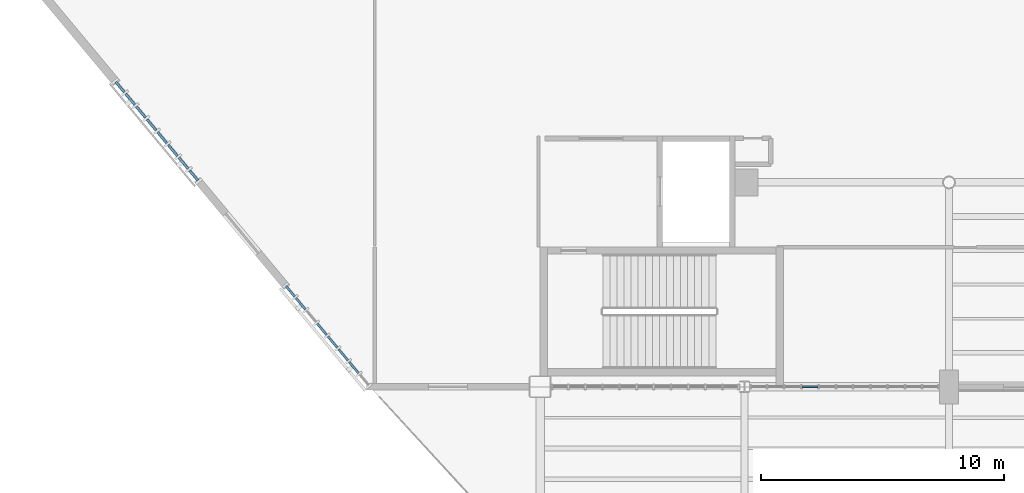
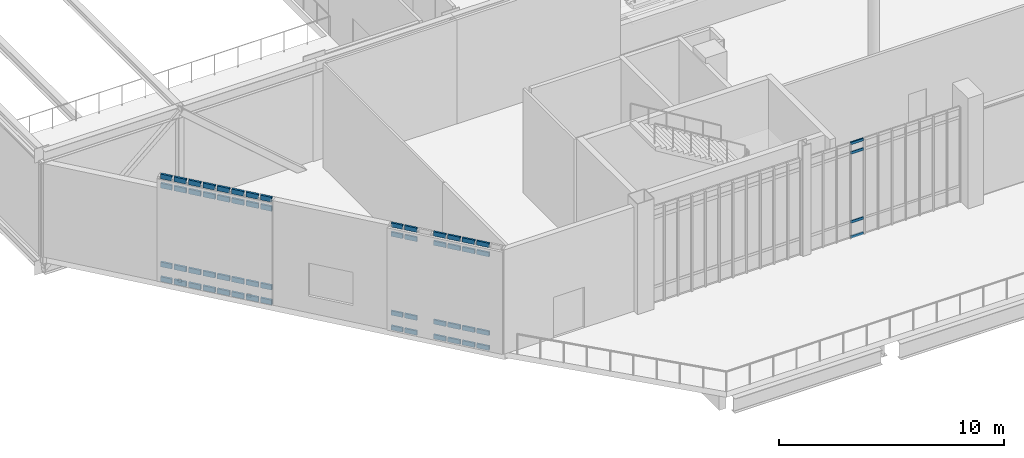
# One storey, part 44 of 135: 60 members, 3 elements without a shape of their own.
"""IFC4 building model written with IfcOpenShell, lengths in metres."""

from ifc_helpers import new_model, si_unit, direction, frame, origin, origin_2d, place, context, subcontext, project, spatial, rectangle, extrude, material, material_profile, profile_set, type_object, element, aggregate, save


model = new_model("IFC4")

# Units and contexts
model_context = context("Model", 3, precision=1e-05, world=origin(), true_north=direction((0.0, 1.0)))
body_context = subcontext(model_context, "Body", "Model", "MODEL_VIEW")
ifc_project = project(units=[si_unit("LENGTHUNIT", "METRE"), si_unit("AREAUNIT", "SQUARE_METRE"), si_unit("VOLUMEUNIT", "CUBIC_METRE"), si_unit("PLANEANGLEUNIT", "RADIAN"), si_unit("MASSUNIT", "GRAM", prefix="KILO")], contexts=[model_context])

# Site, building, storey
site_placement = place(None, origin())
site = spatial("IfcSite", under=ifc_project, at=site_placement, CompositionType="ELEMENT")
building_placement = place(site_placement, origin())
building = spatial("IfcBuilding", under=site, at=building_placement, Name="Larkvane Passage Sports Hall", CompositionType="ELEMENT")
storey_placement = place(building_placement, frame((0.0, 0.0, 10.800048828125)))
storey = spatial("IfcBuildingStorey", under=building, at=storey_placement, Name="L02", CompositionType="ELEMENT", Elevation=10.800048828125)

# Curtain wall, members
ifc_material_1 = material(Name="Thermally broken aluminium and low-E glazing", Category="aluminium")
curtain_wall_type_1 = type_object("IfcCurtainWallType", Name="CW-CLINIC", PredefinedType="USERDEFINED", material=ifc_material_1)
curtain_wall_1_placement = place(storey_placement, origin())
curtain_wall_1 = element("IfcCurtainWall", 1, at=curtain_wall_1_placement, inside=storey, type_object=curtain_wall_type_1, Name="Curtain wall CW5-L02-091", ObjectType="UNITISED CURTAIN WALL", PredefinedType="USERDEFINED")
ifc_material_2 = material(Name="Anodised aluminium 6063-T6", Category="aluminium")
ifc_material_profile_1 = material_profile(ifc_material_2, rectangle(XDim=0.10009765625, YDim=0.260009765625, at=origin_2d()), Name="ALU-TRN-100x260")
ifc_profile_set_1 = profile_set([ifc_material_profile_1], Name="Anodised aluminium 6063-T6")
member_type_1 = type_object("IfcMemberType", Name="CW-TRN-100x260", PredefinedType="USERDEFINED", material=ifc_profile_set_1)
member_1_placement = place(storey_placement, frame((20.736083984375, 31.27685546875, 0.050048828125), z_axis=(-0.640364472623, 0.768071183031, 0.0), x_axis=(-0.768071183031, -0.640364472623, 0.0)))
member_1 = element("IfcMember", 2, at=member_1_placement, type_object=member_type_1, Name="CW-05 transom 1.1", ObjectType="TRANSOM", PredefinedType="USERDEFINED", context=body_context, shape_type="SweptSolid", body=[
    extrude(rectangle(XDim=0.10009765625, YDim=0.260009765625, at=origin_2d()), origin(), (0.0, 0.0, 1.0), 0.533447265625),
])
member_2_placement = place(storey_placement, frame((20.736083984375, 31.27685546875, 0.849853515625), z_axis=(-0.640364472623, 0.768071183031, 0.0), x_axis=(-0.768071183031, -0.640364472623, 0.0)))
member_2 = element("IfcMember", 3, at=member_2_placement, type_object=member_type_1, Name="CW-05 transom 1.2", ObjectType="TRANSOM", PredefinedType="USERDEFINED", context=body_context, shape_type="SweptSolid", body=[
    extrude(rectangle(XDim=0.10009765625, YDim=0.260009765625, at=origin_2d()), origin(), (0.0, 0.0, 1.0), 0.533447265625),
])
member_3_placement = place(storey_placement, frame((20.736083984375, 31.27685546875, 5.1298828125), z_axis=(-0.640364472623, 0.768071183031, 0.0), x_axis=(-0.768071183031, -0.640364472623, 0.0)))
member_3 = element("IfcMember", 4, at=member_3_placement, type_object=member_type_1, Name="CW-05 transom 1.3", ObjectType="TRANSOM", PredefinedType="USERDEFINED", context=body_context, shape_type="SweptSolid", body=[
    extrude(rectangle(XDim=0.10009765625, YDim=0.260009765625, at=origin_2d()), origin(), (0.0, 0.0, 1.0), 0.533447265625),
])
member_4_placement = place(storey_placement, frame((20.736083984375, 31.27685546875, 5.6298828125), z_axis=(-0.640364472623, 0.768071183031, 0.0), x_axis=(-0.768071183031, -0.640364472623, 0.0)))
member_4 = element("IfcMember", 5, at=member_4_placement, type_object=member_type_1, Name="CW-05 transom 1.4", ObjectType="TRANSOM", PredefinedType="USERDEFINED", context=body_context, shape_type="SweptSolid", body=[
    extrude(rectangle(XDim=0.10009765625, YDim=0.260009765625, at=origin_2d()), origin(), (0.0, 0.0, 1.0), 0.533447265625),
])
member_5_placement = place(storey_placement, frame((20.33056640625, 31.763427734375, 0.050048828125), z_axis=(-0.640184399664, 0.768221279597, 0.0), x_axis=(-0.768221279597, -0.640184399664, 0.0)))
member_5 = element("IfcMember", 6, at=member_5_placement, type_object=member_type_1, Name="CW-05 transom 2.1", ObjectType="TRANSOM", PredefinedType="USERDEFINED", context=body_context, shape_type="SweptSolid", body=[
    extrude(rectangle(XDim=0.10009765625, YDim=0.260009765625, at=origin_2d()), origin(), (0.0, 0.0, 1.0), 0.58349609375),
])
member_6_placement = place(storey_placement, frame((20.33056640625, 31.763427734375, 0.849853515625), z_axis=(-0.640184399664, 0.768221279597, 0.0), x_axis=(-0.768221279597, -0.640184399664, 0.0)))
member_6 = element("IfcMember", 7, at=member_6_placement, type_object=member_type_1, Name="CW-05 transom 2.2", ObjectType="TRANSOM", PredefinedType="USERDEFINED", context=body_context, shape_type="SweptSolid", body=[
    extrude(rectangle(XDim=0.10009765625, YDim=0.260009765625, at=origin_2d()), origin(), (0.0, 0.0, 1.0), 0.58349609375),
])
member_7_placement = place(storey_placement, frame((20.33056640625, 31.763427734375, 5.1298828125), z_axis=(-0.640184399664, 0.768221279597, 0.0), x_axis=(-0.768221279597, -0.640184399664, 0.0)))
member_7 = element("IfcMember", 8, at=member_7_placement, type_object=member_type_1, Name="CW-05 transom 2.3", ObjectType="TRANSOM", PredefinedType="USERDEFINED", context=body_context, shape_type="SweptSolid", body=[
    extrude(rectangle(XDim=0.10009765625, YDim=0.260009765625, at=origin_2d()), origin(), (0.0, 0.0, 1.0), 0.58349609375),
])
member_8_placement = place(storey_placement, frame((20.33056640625, 31.763427734375, 5.6298828125), z_axis=(-0.640184399664, 0.768221279597, 0.0), x_axis=(-0.768221279597, -0.640184399664, 0.0)))
member_8 = element("IfcMember", 9, at=member_8_placement, type_object=member_type_1, Name="CW-05 transom 2.4", ObjectType="TRANSOM", PredefinedType="USERDEFINED", context=body_context, shape_type="SweptSolid", body=[
    extrude(rectangle(XDim=0.10009765625, YDim=0.260009765625, at=origin_2d()), origin(), (0.0, 0.0, 1.0), 0.58349609375),
])
member_9_placement = place(storey_placement, frame((19.89306640625, 32.288330078125, 0.050048828125), z_axis=(-0.640184399664, 0.768221279597, 0.0), x_axis=(-0.768221279597, -0.640184399664, 0.0)))
member_9 = element("IfcMember", 10, at=member_9_placement, type_object=member_type_1, Name="CW-05 transom 3.1", ObjectType="TRANSOM", PredefinedType="USERDEFINED", context=body_context, shape_type="SweptSolid", body=[
    extrude(rectangle(XDim=0.10009765625, YDim=0.260009765625, at=origin_2d()), origin(), (0.0, 0.0, 1.0), 0.58349609375),
])
member_10_placement = place(storey_placement, frame((19.89306640625, 32.288330078125, 0.849853515625), z_axis=(-0.640184399664, 0.768221279597, 0.0), x_axis=(-0.768221279597, -0.640184399664, 0.0)))
member_10 = element("IfcMember", 11, at=member_10_placement, type_object=member_type_1, Name="CW-05 transom 3.2", ObjectType="TRANSOM", PredefinedType="USERDEFINED", context=body_context, shape_type="SweptSolid", body=[
    extrude(rectangle(XDim=0.10009765625, YDim=0.260009765625, at=origin_2d()), origin(), (0.0, 0.0, 1.0), 0.58349609375),
])
member_11_placement = place(storey_placement, frame((19.89306640625, 32.288330078125, 5.1298828125), z_axis=(-0.640184399664, 0.768221279597, 0.0), x_axis=(-0.768221279597, -0.640184399664, 0.0)))
member_11 = element("IfcMember", 12, at=member_11_placement, type_object=member_type_1, Name="CW-05 transom 3.3", ObjectType="TRANSOM", PredefinedType="USERDEFINED", context=body_context, shape_type="SweptSolid", body=[
    extrude(rectangle(XDim=0.10009765625, YDim=0.260009765625, at=origin_2d()), origin(), (0.0, 0.0, 1.0), 0.58349609375),
])
member_12_placement = place(storey_placement, frame((19.89306640625, 32.288330078125, 5.6298828125), z_axis=(-0.640184399664, 0.768221279597, 0.0), x_axis=(-0.768221279597, -0.640184399664, 0.0)))
member_12 = element("IfcMember", 13, at=member_12_placement, type_object=member_type_1, Name="CW-05 transom 3.4", ObjectType="TRANSOM", PredefinedType="USERDEFINED", context=body_context, shape_type="SweptSolid", body=[
    extrude(rectangle(XDim=0.10009765625, YDim=0.260009765625, at=origin_2d()), origin(), (0.0, 0.0, 1.0), 0.58349609375),
])
member_13_placement = place(storey_placement, frame((19.45556640625, 32.8134765625, 0.050048828125), z_axis=(-0.640390223749, 0.768049712797, 0.0), x_axis=(-0.768049712797, -0.640390223749, 0.0)))
member_13 = element("IfcMember", 14, at=member_13_placement, type_object=member_type_1, Name="CW-05 transom 4.1", ObjectType="TRANSOM", PredefinedType="USERDEFINED", context=body_context, shape_type="SweptSolid", body=[
    extrude(rectangle(XDim=0.10009765625, YDim=0.260009765625, at=origin_2d()), origin(), (0.0, 0.0, 1.0), 0.583251953125),
])
member_14_placement = place(storey_placement, frame((19.45556640625, 32.8134765625, 0.849853515625), z_axis=(-0.640390223749, 0.768049712797, 0.0), x_axis=(-0.768049712797, -0.640390223749, 0.0)))
member_14 = element("IfcMember", 15, at=member_14_placement, type_object=member_type_1, Name="CW-05 transom 4.2", ObjectType="TRANSOM", PredefinedType="USERDEFINED", context=body_context, shape_type="SweptSolid", body=[
    extrude(rectangle(XDim=0.10009765625, YDim=0.260009765625, at=origin_2d()), origin(), (0.0, 0.0, 1.0), 0.583251953125),
])
member_15_placement = place(storey_placement, frame((19.45556640625, 32.8134765625, 5.1298828125), z_axis=(-0.640390223749, 0.768049712797, 0.0), x_axis=(-0.768049712797, -0.640390223749, 0.0)))
member_15 = element("IfcMember", 16, at=member_15_placement, type_object=member_type_1, Name="CW-05 transom 4.3", ObjectType="TRANSOM", PredefinedType="USERDEFINED", context=body_context, shape_type="SweptSolid", body=[
    extrude(rectangle(XDim=0.10009765625, YDim=0.260009765625, at=origin_2d()), origin(), (0.0, 0.0, 1.0), 0.583251953125),
])
member_16_placement = place(storey_placement, frame((19.45556640625, 32.8134765625, 5.6298828125), z_axis=(-0.640390223749, 0.768049712797, 0.0), x_axis=(-0.768049712797, -0.640390223749, 0.0)))
member_16 = element("IfcMember", 17, at=member_16_placement, type_object=member_type_1, Name="CW-05 transom 4.4", ObjectType="TRANSOM", PredefinedType="USERDEFINED", context=body_context, shape_type="SweptSolid", body=[
    extrude(rectangle(XDim=0.10009765625, YDim=0.260009765625, at=origin_2d()), origin(), (0.0, 0.0, 1.0), 0.583251953125),
])
member_17_placement = place(storey_placement, frame((19.01806640625, 33.33837890625, 0.050048828125), z_axis=(-0.640184399664, 0.768221279597, 0.0), x_axis=(-0.768221279597, -0.640184399664, 0.0)))
member_17 = element("IfcMember", 18, at=member_17_placement, type_object=member_type_1, Name="CW-05 transom 5.1", ObjectType="TRANSOM", PredefinedType="USERDEFINED", context=body_context, shape_type="SweptSolid", body=[
    extrude(rectangle(XDim=0.10009765625, YDim=0.260009765625, at=origin_2d()), origin(), (0.0, 0.0, 1.0), 0.58349609375),
])
member_18_placement = place(storey_placement, frame((19.01806640625, 33.33837890625, 0.849853515625), z_axis=(-0.640184399664, 0.768221279597, 0.0), x_axis=(-0.768221279597, -0.640184399664, 0.0)))
member_18 = element("IfcMember", 19, at=member_18_placement, type_object=member_type_1, Name="CW-05 transom 5.2", ObjectType="TRANSOM", PredefinedType="USERDEFINED", context=body_context, shape_type="SweptSolid", body=[
    extrude(rectangle(XDim=0.10009765625, YDim=0.260009765625, at=origin_2d()), origin(), (0.0, 0.0, 1.0), 0.58349609375),
])
member_19_placement = place(storey_placement, frame((19.01806640625, 33.33837890625, 5.1298828125), z_axis=(-0.640184399664, 0.768221279597, 0.0), x_axis=(-0.768221279597, -0.640184399664, 0.0)))
member_19 = element("IfcMember", 20, at=member_19_placement, type_object=member_type_1, Name="CW-05 transom 5.3", ObjectType="TRANSOM", PredefinedType="USERDEFINED", context=body_context, shape_type="SweptSolid", body=[
    extrude(rectangle(XDim=0.10009765625, YDim=0.260009765625, at=origin_2d()), origin(), (0.0, 0.0, 1.0), 0.58349609375),
])
member_20_placement = place(storey_placement, frame((19.01806640625, 33.33837890625, 5.6298828125), z_axis=(-0.640184399664, 0.768221279597, 0.0), x_axis=(-0.768221279597, -0.640184399664, 0.0)))
member_20 = element("IfcMember", 21, at=member_20_placement, type_object=member_type_1, Name="CW-05 transom 5.4", ObjectType="TRANSOM", PredefinedType="USERDEFINED", context=body_context, shape_type="SweptSolid", body=[
    extrude(rectangle(XDim=0.10009765625, YDim=0.260009765625, at=origin_2d()), origin(), (0.0, 0.0, 1.0), 0.58349609375),
])
member_21_placement = place(storey_placement, frame((18.58056640625, 33.863525390625, 0.050048828125), z_axis=(-0.640390223749, 0.768049712797, 0.0), x_axis=(-0.768049712797, -0.640390223749, 0.0)))
member_21 = element("IfcMember", 22, at=member_21_placement, type_object=member_type_1, Name="CW-05 transom 6.1", ObjectType="TRANSOM", PredefinedType="USERDEFINED", context=body_context, shape_type="SweptSolid", body=[
    extrude(rectangle(XDim=0.10009765625, YDim=0.260009765625, at=origin_2d()), origin(), (0.0, 0.0, 1.0), 0.583251953125),
])
member_22_placement = place(storey_placement, frame((18.58056640625, 33.863525390625, 0.849853515625), z_axis=(-0.640390223749, 0.768049712797, 0.0), x_axis=(-0.768049712797, -0.640390223749, 0.0)))
member_22 = element("IfcMember", 23, at=member_22_placement, type_object=member_type_1, Name="CW-05 transom 6.2", ObjectType="TRANSOM", PredefinedType="USERDEFINED", context=body_context, shape_type="SweptSolid", body=[
    extrude(rectangle(XDim=0.10009765625, YDim=0.260009765625, at=origin_2d()), origin(), (0.0, 0.0, 1.0), 0.583251953125),
])
member_23_placement = place(storey_placement, frame((18.58056640625, 33.863525390625, 5.1298828125), z_axis=(-0.640390223749, 0.768049712797, 0.0), x_axis=(-0.768049712797, -0.640390223749, 0.0)))
member_23 = element("IfcMember", 24, at=member_23_placement, type_object=member_type_1, Name="CW-05 transom 6.3", ObjectType="TRANSOM", PredefinedType="USERDEFINED", context=body_context, shape_type="SweptSolid", body=[
    extrude(rectangle(XDim=0.10009765625, YDim=0.260009765625, at=origin_2d()), origin(), (0.0, 0.0, 1.0), 0.583251953125),
])
member_24_placement = place(storey_placement, frame((18.58056640625, 33.863525390625, 5.6298828125), z_axis=(-0.640390223749, 0.768049712797, 0.0), x_axis=(-0.768049712797, -0.640390223749, 0.0)))
member_24 = element("IfcMember", 25, at=member_24_placement, type_object=member_type_1, Name="CW-05 transom 6.4", ObjectType="TRANSOM", PredefinedType="USERDEFINED", context=body_context, shape_type="SweptSolid", body=[
    extrude(rectangle(XDim=0.10009765625, YDim=0.260009765625, at=origin_2d()), origin(), (0.0, 0.0, 1.0), 0.583251953125),
])
member_25_placement = place(storey_placement, frame((18.14306640625, 34.388427734375, 0.050048828125), z_axis=(-0.640184399664, 0.768221279597, 0.0), x_axis=(-0.768221279597, -0.640184399664, 0.0)))
member_25 = element("IfcMember", 26, at=member_25_placement, type_object=member_type_1, Name="CW-05 transom 7.1", ObjectType="TRANSOM", PredefinedType="USERDEFINED", context=body_context, shape_type="SweptSolid", body=[
    extrude(rectangle(XDim=0.10009765625, YDim=0.260009765625, at=origin_2d()), origin(), (0.0, 0.0, 1.0), 0.58349609375),
])
member_26_placement = place(storey_placement, frame((18.14306640625, 34.388427734375, 0.849853515625), z_axis=(-0.640184399664, 0.768221279597, 0.0), x_axis=(-0.768221279597, -0.640184399664, 0.0)))
member_26 = element("IfcMember", 27, at=member_26_placement, type_object=member_type_1, Name="CW-05 transom 7.2", ObjectType="TRANSOM", PredefinedType="USERDEFINED", context=body_context, shape_type="SweptSolid", body=[
    extrude(rectangle(XDim=0.10009765625, YDim=0.260009765625, at=origin_2d()), origin(), (0.0, 0.0, 1.0), 0.58349609375),
])
member_27_placement = place(storey_placement, frame((18.14306640625, 34.388427734375, 5.1298828125), z_axis=(-0.640184399664, 0.768221279597, 0.0), x_axis=(-0.768221279597, -0.640184399664, 0.0)))
member_27 = element("IfcMember", 28, at=member_27_placement, type_object=member_type_1, Name="CW-05 transom 7.3", ObjectType="TRANSOM", PredefinedType="USERDEFINED", context=body_context, shape_type="SweptSolid", body=[
    extrude(rectangle(XDim=0.10009765625, YDim=0.260009765625, at=origin_2d()), origin(), (0.0, 0.0, 1.0), 0.58349609375),
])
member_28_placement = place(storey_placement, frame((18.14306640625, 34.388427734375, 5.6298828125), z_axis=(-0.640184399664, 0.768221279597, 0.0), x_axis=(-0.768221279597, -0.640184399664, 0.0)))
member_28 = element("IfcMember", 29, at=member_28_placement, type_object=member_type_1, Name="CW-05 transom 7.4", ObjectType="TRANSOM", PredefinedType="USERDEFINED", context=body_context, shape_type="SweptSolid", body=[
    extrude(rectangle(XDim=0.10009765625, YDim=0.260009765625, at=origin_2d()), origin(), (0.0, 0.0, 1.0), 0.58349609375),
])
member_29_placement = place(storey_placement, frame((17.70556640625, 34.913330078125, 0.050048828125), z_axis=(-0.640139391754, 0.768258783956, 0.0), x_axis=(-0.768258783956, -0.640139391754, 0.0)))
member_29 = element("IfcMember", 30, at=member_29_placement, type_object=member_type_1, Name="CW-05 transom 8.1", ObjectType="TRANSOM", PredefinedType="USERDEFINED", context=body_context, shape_type="SweptSolid", body=[
    extrude(rectangle(XDim=0.10009765625, YDim=0.260009765625, at=origin_2d()), origin(), (0.0, 0.0, 1.0), 0.533447265625),
])
member_30_placement = place(storey_placement, frame((17.70556640625, 34.913330078125, 0.849853515625), z_axis=(-0.640139391754, 0.768258783956, 0.0), x_axis=(-0.768258783956, -0.640139391754, 0.0)))
member_30 = element("IfcMember", 31, at=member_30_placement, type_object=member_type_1, Name="CW-05 transom 8.2", ObjectType="TRANSOM", PredefinedType="USERDEFINED", context=body_context, shape_type="SweptSolid", body=[
    extrude(rectangle(XDim=0.10009765625, YDim=0.260009765625, at=origin_2d()), origin(), (0.0, 0.0, 1.0), 0.533447265625),
])
member_31_placement = place(storey_placement, frame((17.70556640625, 34.913330078125, 5.1298828125), z_axis=(-0.640139391754, 0.768258783956, 0.0), x_axis=(-0.768258783956, -0.640139391754, 0.0)))
member_31 = element("IfcMember", 32, at=member_31_placement, type_object=member_type_1, Name="CW-05 transom 8.3", ObjectType="TRANSOM", PredefinedType="USERDEFINED", context=body_context, shape_type="SweptSolid", body=[
    extrude(rectangle(XDim=0.10009765625, YDim=0.260009765625, at=origin_2d()), origin(), (0.0, 0.0, 1.0), 0.533447265625),
])
member_32_placement = place(storey_placement, frame((17.70556640625, 34.913330078125, 5.6298828125), z_axis=(-0.640139391754, 0.768258783956, 0.0), x_axis=(-0.768258783956, -0.640139391754, 0.0)))
member_32 = element("IfcMember", 33, at=member_32_placement, type_object=member_type_1, Name="CW-05 transom 8.4", ObjectType="TRANSOM", PredefinedType="USERDEFINED", context=body_context, shape_type="SweptSolid", body=[
    extrude(rectangle(XDim=0.10009765625, YDim=0.260009765625, at=origin_2d()), origin(), (0.0, 0.0, 1.0), 0.533447265625),
])
aggregate(curtain_wall_1, [member_1, member_2, member_3, member_4, member_5, member_6, member_7, member_8, member_9, member_10, member_11, member_12, member_13, member_14, member_15, member_16, member_17, member_18, member_19, member_20, member_21, member_22, member_23, member_24, member_25, member_26, member_27, member_28, member_29, member_30, member_31, member_32])

curtain_wall_type_2 = type_object("IfcCurtainWallType", Name="CW-UNIT-COURT", PredefinedType="USERDEFINED", material=ifc_material_1)
curtain_wall_2_placement = place(storey_placement, origin())
curtain_wall_2 = element("IfcCurtainWall", 34, at=curtain_wall_2_placement, inside=storey, type_object=curtain_wall_type_2, Name="Curtain wall CW5-L02-088", ObjectType="UNITISED CURTAIN WALL", PredefinedType="USERDEFINED")
ifc_material_profile_2 = material_profile(ifc_material_2, rectangle(XDim=0.06494140625, YDim=0.139892578125, at=origin_2d()), Name="ALU-TRN-65x140")
ifc_profile_set_2 = profile_set([ifc_material_profile_2], Name="Anodised aluminium 6063-T6")
member_type_2 = type_object("IfcMemberType", Name="CW-TRN-65x140", PredefinedType="USERDEFINED", material=ifc_profile_set_2)
member_33_placement = place(storey_placement, frame((46.208251953125, 22.800048828125, 0.032470703125), z_axis=(-1.0, 0.0, 0.0), x_axis=(0.0, -1.0, 0.0)))
member_33 = element("IfcMember", 35, at=member_33_placement, type_object=member_type_2, Name="CW-01 transom 8.1", ObjectType="TRANSOM", PredefinedType="USERDEFINED", context=body_context, shape_type="SweptSolid", body=[
    extrude(rectangle(XDim=0.06494140625, YDim=0.139892578125, at=origin_2d()), origin(), (0.0, 0.0, 1.0), 0.64404296875),
])
member_34_placement = place(storey_placement, frame((46.208251953125, 22.800048828125, 0.849853515625), z_axis=(-1.0, 0.0, 0.0), x_axis=(0.0, -1.0, 0.0)))
member_34 = element("IfcMember", 36, at=member_34_placement, type_object=member_type_2, Name="CW-01 transom 8.2", ObjectType="TRANSOM", PredefinedType="USERDEFINED", context=body_context, shape_type="SweptSolid", body=[
    extrude(rectangle(XDim=0.06494140625, YDim=0.139892578125, at=origin_2d()), origin(), (0.0, 0.0, 1.0), 0.64404296875),
])
member_35_placement = place(storey_placement, frame((46.208251953125, 22.800048828125, 4.597900390625), z_axis=(-1.0, 0.0, 0.0), x_axis=(0.0, -1.0, 0.0)))
member_35 = element("IfcMember", 37, at=member_35_placement, type_object=member_type_2, Name="CW-01 transom 8.3", ObjectType="TRANSOM", PredefinedType="USERDEFINED", context=body_context, shape_type="SweptSolid", body=[
    extrude(rectangle(XDim=0.06494140625, YDim=0.139892578125, at=origin_2d()), origin(), (0.0, 0.0, 1.0), 0.64404296875),
])
member_36_placement = place(storey_placement, frame((46.208251953125, 22.800048828125, 5.115478515625), z_axis=(-1.0, 0.0, 0.0), x_axis=(0.0, -1.0, 0.0)))
member_36 = element("IfcMember", 38, at=member_36_placement, type_object=member_type_2, Name="CW-01 transom 8.4", ObjectType="TRANSOM", PredefinedType="USERDEFINED", context=body_context, shape_type="SweptSolid", body=[
    extrude(rectangle(XDim=0.06494140625, YDim=0.139892578125, at=origin_2d()), origin(), (0.0, 0.0, 1.0), 0.64404296875),
])
aggregate(curtain_wall_2, [member_33, member_34, member_35, member_36])

curtain_wall_type_3 = type_object("IfcCurtainWallType", Name="CW-STICK-FOYER", PredefinedType="USERDEFINED", material=ifc_material_1)
curtain_wall_3_placement = place(storey_placement, origin())
curtain_wall_3 = element("IfcCurtainWall", 39, at=curtain_wall_3_placement, inside=storey, type_object=curtain_wall_type_3, Name="Curtain wall CW5-L02-090", ObjectType="STICK CURTAIN WALL", PredefinedType="USERDEFINED")
ifc_material_profile_3 = material_profile(ifc_material_2, rectangle(XDim=0.090087890625, YDim=0.235107421875, at=origin_2d()), Name="ALU-TRN-90x235")
ifc_profile_set_3 = profile_set([ifc_material_profile_3], Name="Anodised aluminium 6063-T6")
member_type_3 = type_object("IfcMemberType", Name="CW-TRN-90x235", PredefinedType="USERDEFINED", material=ifc_profile_set_3)
member_37_placement = place(storey_placement, frame((27.333740234375, 23.359619140625, 0.044921875), z_axis=(-0.640224869816, 0.768187552665, 0.0), x_axis=(-0.768187552665, -0.640224869816, 0.0)))
member_37 = element("IfcMember", 40, at=member_37_placement, type_object=member_type_3, Name="CW-03 transom 2.1", ObjectType="TRANSOM", PredefinedType="USERDEFINED", context=body_context, shape_type="SweptSolid", body=[
    extrude(rectangle(XDim=0.090087890625, YDim=0.235107421875, at=origin_2d()), origin(), (0.0, 0.0, 1.0), 0.59326171875),
])
member_38_placement = place(storey_placement, frame((27.333740234375, 23.359619140625, 0.849853515625), z_axis=(-0.640224869816, 0.768187552665, 0.0), x_axis=(-0.768187552665, -0.640224869816, 0.0)))
member_38 = element("IfcMember", 41, at=member_38_placement, type_object=member_type_3, Name="CW-03 transom 2.2", ObjectType="TRANSOM", PredefinedType="USERDEFINED", context=body_context, shape_type="SweptSolid", body=[
    extrude(rectangle(XDim=0.090087890625, YDim=0.235107421875, at=origin_2d()), origin(), (0.0, 0.0, 1.0), 0.59326171875),
])
member_39_placement = place(storey_placement, frame((27.333740234375, 23.359619140625, 5.1298828125), z_axis=(-0.640224869816, 0.768187552665, 0.0), x_axis=(-0.768187552665, -0.640224869816, 0.0)))
member_39 = element("IfcMember", 42, at=member_39_placement, type_object=member_type_3, Name="CW-03 transom 2.3", ObjectType="TRANSOM", PredefinedType="USERDEFINED", context=body_context, shape_type="SweptSolid", body=[
    extrude(rectangle(XDim=0.090087890625, YDim=0.235107421875, at=origin_2d()), origin(), (0.0, 0.0, 1.0), 0.59326171875),
])
member_40_placement = place(storey_placement, frame((27.333740234375, 23.359619140625, 5.635009765625), z_axis=(-0.640224869816, 0.768187552665, 0.0), x_axis=(-0.768187552665, -0.640224869816, 0.0)))
member_40 = element("IfcMember", 43, at=member_40_placement, type_object=member_type_3, Name="CW-03 transom 2.4", ObjectType="TRANSOM", PredefinedType="USERDEFINED", context=body_context, shape_type="SweptSolid", body=[
    extrude(rectangle(XDim=0.090087890625, YDim=0.235107421875, at=origin_2d()), origin(), (0.0, 0.0, 1.0), 0.59326171875),
])
member_41_placement = place(storey_placement, frame((26.896240234375, 23.884521484375, 0.044921875), z_axis=(-0.640224869816, 0.768187552665, 0.0), x_axis=(-0.768187552665, -0.640224869816, 0.0)))
member_41 = element("IfcMember", 44, at=member_41_placement, type_object=member_type_3, Name="CW-03 transom 3.1", ObjectType="TRANSOM", PredefinedType="USERDEFINED", context=body_context, shape_type="SweptSolid", body=[
    extrude(rectangle(XDim=0.090087890625, YDim=0.235107421875, at=origin_2d()), origin(), (0.0, 0.0, 1.0), 0.59326171875),
])
member_42_placement = place(storey_placement, frame((26.896240234375, 23.884521484375, 0.849853515625), z_axis=(-0.640224869816, 0.768187552665, 0.0), x_axis=(-0.768187552665, -0.640224869816, 0.0)))
member_42 = element("IfcMember", 45, at=member_42_placement, type_object=member_type_3, Name="CW-03 transom 3.2", ObjectType="TRANSOM", PredefinedType="USERDEFINED", context=body_context, shape_type="SweptSolid", body=[
    extrude(rectangle(XDim=0.090087890625, YDim=0.235107421875, at=origin_2d()), origin(), (0.0, 0.0, 1.0), 0.59326171875),
])
member_43_placement = place(storey_placement, frame((26.896240234375, 23.884521484375, 5.1298828125), z_axis=(-0.640224869816, 0.768187552665, 0.0), x_axis=(-0.768187552665, -0.640224869816, 0.0)))
member_43 = element("IfcMember", 46, at=member_43_placement, type_object=member_type_3, Name="CW-03 transom 3.3", ObjectType="TRANSOM", PredefinedType="USERDEFINED", context=body_context, shape_type="SweptSolid", body=[
    extrude(rectangle(XDim=0.090087890625, YDim=0.235107421875, at=origin_2d()), origin(), (0.0, 0.0, 1.0), 0.59326171875),
])
member_44_placement = place(storey_placement, frame((26.896240234375, 23.884521484375, 5.635009765625), z_axis=(-0.640224869816, 0.768187552665, 0.0), x_axis=(-0.768187552665, -0.640224869816, 0.0)))
member_44 = element("IfcMember", 47, at=member_44_placement, type_object=member_type_3, Name="CW-03 transom 3.4", ObjectType="TRANSOM", PredefinedType="USERDEFINED", context=body_context, shape_type="SweptSolid", body=[
    extrude(rectangle(XDim=0.090087890625, YDim=0.235107421875, at=origin_2d()), origin(), (0.0, 0.0, 1.0), 0.59326171875),
])
member_45_placement = place(storey_placement, frame((26.458740234375, 24.40966796875, 0.044921875), z_axis=(-0.640224869816, 0.768187552665, 0.0), x_axis=(-0.768187552665, -0.640224869816, 0.0)))
member_45 = element("IfcMember", 48, at=member_45_placement, type_object=member_type_3, Name="CW-03 transom 4.1", ObjectType="TRANSOM", PredefinedType="USERDEFINED", context=body_context, shape_type="SweptSolid", body=[
    extrude(rectangle(XDim=0.090087890625, YDim=0.235107421875, at=origin_2d()), origin(), (0.0, 0.0, 1.0), 0.59326171875),
])
member_46_placement = place(storey_placement, frame((26.458740234375, 24.40966796875, 0.849853515625), z_axis=(-0.640224869816, 0.768187552665, 0.0), x_axis=(-0.768187552665, -0.640224869816, 0.0)))
member_46 = element("IfcMember", 49, at=member_46_placement, type_object=member_type_3, Name="CW-03 transom 4.2", ObjectType="TRANSOM", PredefinedType="USERDEFINED", context=body_context, shape_type="SweptSolid", body=[
    extrude(rectangle(XDim=0.090087890625, YDim=0.235107421875, at=origin_2d()), origin(), (0.0, 0.0, 1.0), 0.59326171875),
])
member_47_placement = place(storey_placement, frame((26.458740234375, 24.40966796875, 5.1298828125), z_axis=(-0.640224869816, 0.768187552665, 0.0), x_axis=(-0.768187552665, -0.640224869816, 0.0)))
member_47 = element("IfcMember", 50, at=member_47_placement, type_object=member_type_3, Name="CW-03 transom 4.3", ObjectType="TRANSOM", PredefinedType="USERDEFINED", context=body_context, shape_type="SweptSolid", body=[
    extrude(rectangle(XDim=0.090087890625, YDim=0.235107421875, at=origin_2d()), origin(), (0.0, 0.0, 1.0), 0.59326171875),
])
member_48_placement = place(storey_placement, frame((26.458740234375, 24.40966796875, 5.635009765625), z_axis=(-0.640224869816, 0.768187552665, 0.0), x_axis=(-0.768187552665, -0.640224869816, 0.0)))
member_48 = element("IfcMember", 51, at=member_48_placement, type_object=member_type_3, Name="CW-03 transom 4.4", ObjectType="TRANSOM", PredefinedType="USERDEFINED", context=body_context, shape_type="SweptSolid", body=[
    extrude(rectangle(XDim=0.090087890625, YDim=0.235107421875, at=origin_2d()), origin(), (0.0, 0.0, 1.0), 0.59326171875),
])
member_49_placement = place(storey_placement, frame((26.021240234375, 24.9345703125, 0.044921875), z_axis=(-0.640224869816, 0.768187552665, 0.0), x_axis=(-0.768187552665, -0.640224869816, 0.0)))
member_49 = element("IfcMember", 52, at=member_49_placement, type_object=member_type_3, Name="CW-03 transom 5.1", ObjectType="TRANSOM", PredefinedType="USERDEFINED", context=body_context, shape_type="SweptSolid", body=[
    extrude(rectangle(XDim=0.090087890625, YDim=0.235107421875, at=origin_2d()), origin(), (0.0, 0.0, 1.0), 0.59326171875),
])
member_50_placement = place(storey_placement, frame((26.021240234375, 24.9345703125, 0.849853515625), z_axis=(-0.640224869816, 0.768187552665, 0.0), x_axis=(-0.768187552665, -0.640224869816, 0.0)))
member_50 = element("IfcMember", 53, at=member_50_placement, type_object=member_type_3, Name="CW-03 transom 5.2", ObjectType="TRANSOM", PredefinedType="USERDEFINED", context=body_context, shape_type="SweptSolid", body=[
    extrude(rectangle(XDim=0.090087890625, YDim=0.235107421875, at=origin_2d()), origin(), (0.0, 0.0, 1.0), 0.59326171875),
])
member_51_placement = place(storey_placement, frame((26.021240234375, 24.9345703125, 5.1298828125), z_axis=(-0.640224869816, 0.768187552665, 0.0), x_axis=(-0.768187552665, -0.640224869816, 0.0)))
member_51 = element("IfcMember", 54, at=member_51_placement, type_object=member_type_3, Name="CW-03 transom 5.3", ObjectType="TRANSOM", PredefinedType="USERDEFINED", context=body_context, shape_type="SweptSolid", body=[
    extrude(rectangle(XDim=0.090087890625, YDim=0.235107421875, at=origin_2d()), origin(), (0.0, 0.0, 1.0), 0.59326171875),
])
member_52_placement = place(storey_placement, frame((26.021240234375, 24.9345703125, 5.635009765625), z_axis=(-0.640224869816, 0.768187552665, 0.0), x_axis=(-0.768187552665, -0.640224869816, 0.0)))
member_52 = element("IfcMember", 55, at=member_52_placement, type_object=member_type_3, Name="CW-03 transom 5.4", ObjectType="TRANSOM", PredefinedType="USERDEFINED", context=body_context, shape_type="SweptSolid", body=[
    extrude(rectangle(XDim=0.090087890625, YDim=0.235107421875, at=origin_2d()), origin(), (0.0, 0.0, 1.0), 0.59326171875),
])
member_53_placement = place(storey_placement, frame((25.146240234375, 25.984619140625, 0.044921875), z_axis=(-0.640224869816, 0.768187552665, 0.0), x_axis=(-0.768187552665, -0.640224869816, 0.0)))
member_53 = element("IfcMember", 56, at=member_53_placement, type_object=member_type_3, Name="CW-03 transom 7.1", ObjectType="TRANSOM", PredefinedType="USERDEFINED", context=body_context, shape_type="SweptSolid", body=[
    extrude(rectangle(XDim=0.090087890625, YDim=0.235107421875, at=origin_2d()), origin(), (0.0, 0.0, 1.0), 0.59326171875),
])
member_54_placement = place(storey_placement, frame((25.146240234375, 25.984619140625, 0.849853515625), z_axis=(-0.640224869816, 0.768187552665, 0.0), x_axis=(-0.768187552665, -0.640224869816, 0.0)))
member_54 = element("IfcMember", 57, at=member_54_placement, type_object=member_type_3, Name="CW-03 transom 7.2", ObjectType="TRANSOM", PredefinedType="USERDEFINED", context=body_context, shape_type="SweptSolid", body=[
    extrude(rectangle(XDim=0.090087890625, YDim=0.235107421875, at=origin_2d()), origin(), (0.0, 0.0, 1.0), 0.59326171875),
])
member_55_placement = place(storey_placement, frame((25.146240234375, 25.984619140625, 5.1298828125), z_axis=(-0.640224869816, 0.768187552665, 0.0), x_axis=(-0.768187552665, -0.640224869816, 0.0)))
member_55 = element("IfcMember", 58, at=member_55_placement, type_object=member_type_3, Name="CW-03 transom 7.3", ObjectType="TRANSOM", PredefinedType="USERDEFINED", context=body_context, shape_type="SweptSolid", body=[
    extrude(rectangle(XDim=0.090087890625, YDim=0.235107421875, at=origin_2d()), origin(), (0.0, 0.0, 1.0), 0.59326171875),
])
member_56_placement = place(storey_placement, frame((25.146240234375, 25.984619140625, 5.635009765625), z_axis=(-0.640224869816, 0.768187552665, 0.0), x_axis=(-0.768187552665, -0.640224869816, 0.0)))
member_56 = element("IfcMember", 59, at=member_56_placement, type_object=member_type_3, Name="CW-03 transom 7.4", ObjectType="TRANSOM", PredefinedType="USERDEFINED", context=body_context, shape_type="SweptSolid", body=[
    extrude(rectangle(XDim=0.090087890625, YDim=0.235107421875, at=origin_2d()), origin(), (0.0, 0.0, 1.0), 0.59326171875),
])
member_57_placement = place(storey_placement, frame((24.708740234375, 26.509521484375, 0.044921875), z_axis=(-0.640096828963, 0.768294246725, 0.0), x_axis=(-0.768294246725, -0.640096828963, 0.0)))
member_57 = element("IfcMember", 60, at=member_57_placement, type_object=member_type_3, Name="CW-03 transom 8.1", ObjectType="TRANSOM", PredefinedType="USERDEFINED", context=body_context, shape_type="SweptSolid", body=[
    extrude(rectangle(XDim=0.090087890625, YDim=0.235107421875, at=origin_2d()), origin(), (0.0, 0.0, 1.0), 0.548583984375),
])
member_58_placement = place(storey_placement, frame((24.708740234375, 26.509521484375, 0.849853515625), z_axis=(-0.640096828963, 0.768294246725, 0.0), x_axis=(-0.768294246725, -0.640096828963, 0.0)))
member_58 = element("IfcMember", 61, at=member_58_placement, type_object=member_type_3, Name="CW-03 transom 8.2", ObjectType="TRANSOM", PredefinedType="USERDEFINED", context=body_context, shape_type="SweptSolid", body=[
    extrude(rectangle(XDim=0.090087890625, YDim=0.235107421875, at=origin_2d()), origin(), (0.0, 0.0, 1.0), 0.548583984375),
])
member_59_placement = place(storey_placement, frame((24.708740234375, 26.509521484375, 5.1298828125), z_axis=(-0.640096828963, 0.768294246725, 0.0), x_axis=(-0.768294246725, -0.640096828963, 0.0)))
member_59 = element("IfcMember", 62, at=member_59_placement, type_object=member_type_3, Name="CW-03 transom 8.3", ObjectType="TRANSOM", PredefinedType="USERDEFINED", context=body_context, shape_type="SweptSolid", body=[
    extrude(rectangle(XDim=0.090087890625, YDim=0.235107421875, at=origin_2d()), origin(), (0.0, 0.0, 1.0), 0.548583984375),
])
member_60_placement = place(storey_placement, frame((24.708740234375, 26.509521484375, 5.635009765625), z_axis=(-0.640096828963, 0.768294246725, 0.0), x_axis=(-0.768294246725, -0.640096828963, 0.0)))
member_60 = element("IfcMember", 63, at=member_60_placement, type_object=member_type_3, Name="CW-03 transom 8.4", ObjectType="TRANSOM", PredefinedType="USERDEFINED", context=body_context, shape_type="SweptSolid", body=[
    extrude(rectangle(XDim=0.090087890625, YDim=0.235107421875, at=origin_2d()), origin(), (0.0, 0.0, 1.0), 0.548583984375),
])
aggregate(curtain_wall_3, [member_37, member_38, member_39, member_40, member_41, member_42, member_43, member_44, member_45, member_46, member_47, member_48, member_49, member_50, member_51, member_52, member_53, member_54, member_55, member_56, member_57, member_58, member_59, member_60])

save(model, "model.ifc")
